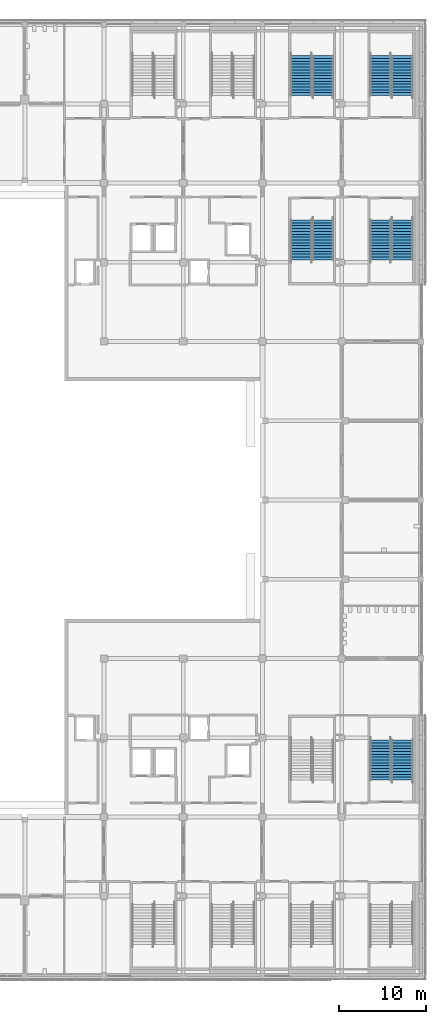
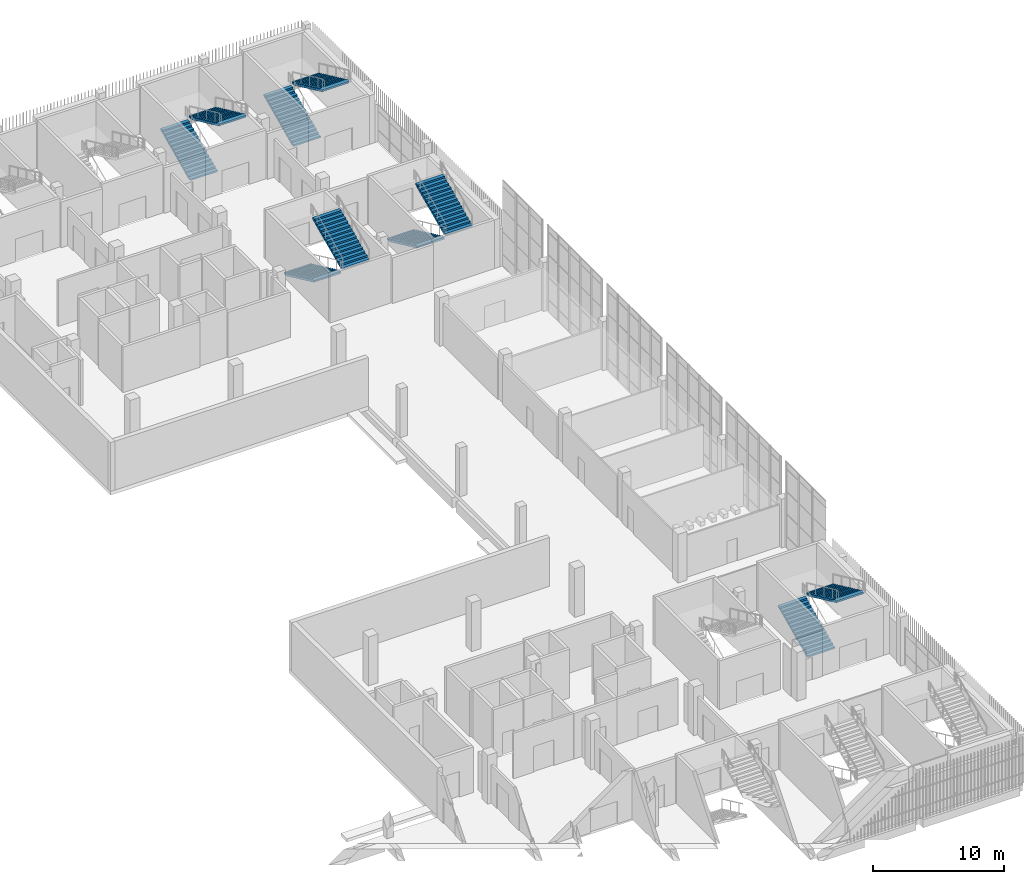
# One storey, part 91 of 126: 10 stair flights, 5 elements without a shape of their own.
"""IFC4 building model written with IfcOpenShell, lengths in metres."""

from ifc_helpers import new_model, si_unit, direction, frame, origin, place, context, subcontext, project, spatial, polyline, outline, extrude, material, type_object, element, aggregate, save


model = new_model("IFC4")

# Units and contexts
model_context = context("Model", 3, precision=1e-05, world=origin(), true_north=direction((0.0, 1.0)))
body_context = subcontext(model_context, "Body", "Model", "MODEL_VIEW")
ifc_project = project(units=[si_unit("LENGTHUNIT", "METRE"), si_unit("AREAUNIT", "SQUARE_METRE"), si_unit("VOLUMEUNIT", "CUBIC_METRE"), si_unit("PLANEANGLEUNIT", "RADIAN"), si_unit("MASSUNIT", "GRAM", prefix="KILO")], contexts=[model_context])

# Site, building, storey
site_placement = place(None, origin())
site = spatial("IfcSite", under=ifc_project, at=site_placement, CompositionType="ELEMENT")
building_placement = place(site_placement, origin())
building = spatial("IfcBuilding", under=site, at=building_placement, Name="Shirokan Park Arena", CompositionType="ELEMENT")
storey_placement = place(building_placement, frame((0.0, 0.0, 6.3701171875)))
storey = spatial("IfcBuildingStorey", under=building, at=storey_placement, Name="L01", CompositionType="ELEMENT", Elevation=6.3701171875)

# Stair, stair flights
ifc_material = material(Name="Concrete C30 precast", Category="concrete")
stair_type = type_object("IfcStairType", Name="Stair 30 risers 152 x 327 2400 wide", PredefinedType="TWO_STRAIGHT_RUN_STAIR", material=ifc_material)
stair_1_placement = place(storey_placement, origin())
stair_1 = element("IfcStair", 1, at=stair_1_placement, inside=storey, type_object=stair_type, Name="Exit Stair 2.E L01 to L02", PredefinedType="TWO_STRAIGHT_RUN_STAIR")
stair_flight_type = type_object("IfcStairFlightType", Name="Stair flight 15 risers 152 x 327 2400 wide", PredefinedType="STRAIGHT", material=ifc_material)
stair_flight_1_placement = place(storey_placement, frame((140.949951171875, 22.449951171875, 0.0), z_axis=(0.0, 0.0, 1.0), x_axis=(0.0, 1.0, 0.0)))
stair_flight_1 = element("IfcStairFlight", 2, at=stair_flight_1_placement, type_object=stair_flight_type, Name="ST08.2 flight 1", NumberOfRisers=15, NumberOfTreads=14, PredefinedType="STRAIGHT", RiserHeight=0.151666667, TreadLength=0.3267, context=body_context, shape_type="SweptSolid", body=[
    extrude(outline(polyline([(0.0, 0.0), (0.0, 0.151611328125), (0.32666015625, 0.151611328125), (0.32666015625, 0.30322265625), (0.6533203125, 0.30322265625), (0.6533203125, 0.455078125), (0.97998046875, 0.455078125), (0.97998046875, 0.606689453125), (1.306884765625, 0.606689453125), (1.306884765625, 0.75830078125), (1.633544921875, 0.75830078125), (1.633544921875, 0.909912109375), (1.960205078125, 0.909912109375), (1.960205078125, 1.061767578125), (2.286865234375, 1.061767578125), (2.286865234375, 1.21337890625), (2.613525390625, 1.21337890625), (2.613525390625, 1.364990234375), (2.940185546875, 1.364990234375), (2.940185546875, 1.5166015625), (3.26708984375, 1.5166015625), (3.26708984375, 1.668212890625), (3.59375, 1.668212890625), (3.59375, 1.820068359375), (3.92041015625, 1.820068359375), (3.92041015625, 1.9716796875), (4.2470703125, 1.9716796875), (4.2470703125, 2.123291015625), (4.57373046875, 2.123291015625), (4.57373046875, 2.27490234375), (4.57373046875, 1.9580078125), (0.35595703125, 0.0), (0.0, 0.0)])), frame((0.0, 1.199951171875, 0.0), z_axis=(0.0, -1.0, 0.0), x_axis=(1.0, 0.0, 0.0)), (0.0, 0.0, 1.0), 2.39990234375),
])
stair_flight_2_placement = place(storey_placement, frame((143.449951171875, 27.023681640625, 2.27490234375), z_axis=(0.0, 0.0, 1.0), x_axis=(0.0, -1.0, 0.0)))
stair_flight_2 = element("IfcStairFlight", 3, at=stair_flight_2_placement, type_object=stair_flight_type, Name="ST08.2 flight 2", NumberOfRisers=15, NumberOfTreads=14, PredefinedType="STRAIGHT", RiserHeight=0.151666667, TreadLength=0.3267, context=body_context, shape_type="SweptSolid", body=[
    extrude(outline(polyline([(0.0, 0.0), (0.0, 0.151611328125), (0.32666015625, 0.151611328125), (0.32666015625, 0.30322265625), (0.6533203125, 0.30322265625), (0.6533203125, 0.455078125), (0.97998046875, 0.455078125), (0.97998046875, 0.606689453125), (1.306884765625, 0.606689453125), (1.306884765625, 0.75830078125), (1.633544921875, 0.75830078125), (1.633544921875, 0.909912109375), (1.960205078125, 0.909912109375), (1.960205078125, 1.061767578125), (2.286865234375, 1.061767578125), (2.286865234375, 1.21337890625), (2.613525390625, 1.21337890625), (2.613525390625, 1.364990234375), (2.940185546875, 1.364990234375), (2.940185546875, 1.5166015625), (3.26708984375, 1.5166015625), (3.26708984375, 1.668212890625), (3.59375, 1.668212890625), (3.59375, 1.820068359375), (3.92041015625, 1.820068359375), (3.92041015625, 1.9716796875), (4.2470703125, 1.9716796875), (4.2470703125, 2.123291015625), (4.57373046875, 2.123291015625), (4.57373046875, 2.27490234375), (4.57373046875, 1.9580078125), (0.35595703125, 0.0), (0.0, 0.0)])), frame((0.0, 1.199951171875, 0.0), z_axis=(0.0, -1.0, 0.0), x_axis=(1.0, 0.0, 0.0)), (0.0, 0.0, 1.0), 2.39990234375),
])
aggregate(stair_1, [stair_flight_1, stair_flight_2])

stair_2_placement = place(storey_placement, origin())
stair_2 = element("IfcStair", 4, at=stair_2_placement, inside=storey, type_object=stair_type, Name="Exit Stair 3.A L01 to L02", PredefinedType="TWO_STRAIGHT_RUN_STAIR")
stair_flight_3_placement = place(storey_placement, frame((140.949951171875, 101.050048828125, 0.0), z_axis=(0.0, 0.0, 1.0), x_axis=(0.0, 1.0, 0.0)))
stair_flight_3 = element("IfcStairFlight", 5, at=stair_flight_3_placement, type_object=stair_flight_type, Name="ST16.2 flight 1", NumberOfRisers=15, NumberOfTreads=14, PredefinedType="STRAIGHT", RiserHeight=0.151666667, TreadLength=0.3267, context=body_context, shape_type="SweptSolid", body=[
    extrude(outline(polyline([(0.0, 0.0), (0.0, 0.151611328125), (0.32666015625, 0.151611328125), (0.32666015625, 0.30322265625), (0.6533203125, 0.30322265625), (0.6533203125, 0.455078125), (0.97998046875, 0.455078125), (0.97998046875, 0.606689453125), (1.306884765625, 0.606689453125), (1.306884765625, 0.75830078125), (1.633544921875, 0.75830078125), (1.633544921875, 0.909912109375), (1.960205078125, 0.909912109375), (1.960205078125, 1.061767578125), (2.286865234375, 1.061767578125), (2.286865234375, 1.21337890625), (2.613525390625, 1.21337890625), (2.613525390625, 1.364990234375), (2.940185546875, 1.364990234375), (2.940185546875, 1.5166015625), (3.26708984375, 1.5166015625), (3.26708984375, 1.668212890625), (3.59375, 1.668212890625), (3.59375, 1.820068359375), (3.92041015625, 1.820068359375), (3.92041015625, 1.9716796875), (4.2470703125, 1.9716796875), (4.2470703125, 2.123291015625), (4.57373046875, 2.123291015625), (4.57373046875, 2.27490234375), (4.57373046875, 1.9580078125), (0.35595703125, 0.0), (0.0, 0.0)])), frame((0.0, 1.199951171875, 0.0), z_axis=(0.0, -1.0, 0.0), x_axis=(1.0, 0.0, 0.0)), (0.0, 0.0, 1.0), 2.39990234375),
])
stair_flight_4_placement = place(storey_placement, frame((143.449951171875, 105.623779296875, 2.27490234375), z_axis=(0.0, 0.0, 1.0), x_axis=(0.0, -1.0, 0.0)))
stair_flight_4 = element("IfcStairFlight", 6, at=stair_flight_4_placement, type_object=stair_flight_type, Name="ST16.2 flight 2", NumberOfRisers=15, NumberOfTreads=14, PredefinedType="STRAIGHT", RiserHeight=0.151666667, TreadLength=0.3267, context=body_context, shape_type="SweptSolid", body=[
    extrude(outline(polyline([(0.0, 0.0), (0.0, 0.151611328125), (0.32666015625, 0.151611328125), (0.32666015625, 0.30322265625), (0.6533203125, 0.30322265625), (0.6533203125, 0.455078125), (0.97998046875, 0.455078125), (0.97998046875, 0.606689453125), (1.306884765625, 0.606689453125), (1.306884765625, 0.75830078125), (1.633544921875, 0.75830078125), (1.633544921875, 0.909912109375), (1.960205078125, 0.909912109375), (1.960205078125, 1.061767578125), (2.286865234375, 1.061767578125), (2.286865234375, 1.21337890625), (2.613525390625, 1.21337890625), (2.613525390625, 1.364990234375), (2.940185546875, 1.364990234375), (2.940185546875, 1.5166015625), (3.26708984375, 1.5166015625), (3.26708984375, 1.668212890625), (3.59375, 1.668212890625), (3.59375, 1.820068359375), (3.92041015625, 1.820068359375), (3.92041015625, 1.9716796875), (4.2470703125, 1.9716796875), (4.2470703125, 2.123291015625), (4.57373046875, 2.123291015625), (4.57373046875, 2.27490234375), (4.57373046875, 1.9580078125), (0.35595703125, 0.0), (0.0, 0.0)])), frame((0.0, 1.199951171875, 0.0), z_axis=(0.0, -1.0, 0.0), x_axis=(1.0, 0.0, 0.0)), (0.0, 0.0, 1.0), 2.39990234375),
])
aggregate(stair_2, [stair_flight_3, stair_flight_4])

stair_3_placement = place(storey_placement, origin())
stair_3 = element("IfcStair", 7, at=stair_3_placement, inside=storey, type_object=stair_type, Name="Exit Stair 3.B L01 to L02", PredefinedType="TWO_STRAIGHT_RUN_STAIR")
stair_flight_5_placement = place(storey_placement, frame((131.85009765625, 101.050048828125, 0.0), z_axis=(0.0, 0.0, 1.0), x_axis=(0.0, 1.0, 0.0)))
stair_flight_5 = element("IfcStairFlight", 8, at=stair_flight_5_placement, type_object=stair_flight_type, Name="ST17.2 flight 1", NumberOfRisers=15, NumberOfTreads=14, PredefinedType="STRAIGHT", RiserHeight=0.151666667, TreadLength=0.3267, context=body_context, shape_type="SweptSolid", body=[
    extrude(outline(polyline([(0.0, 0.0), (0.0, 0.151611328125), (0.32666015625, 0.151611328125), (0.32666015625, 0.30322265625), (0.6533203125, 0.30322265625), (0.6533203125, 0.455078125), (0.97998046875, 0.455078125), (0.97998046875, 0.606689453125), (1.306884765625, 0.606689453125), (1.306884765625, 0.75830078125), (1.633544921875, 0.75830078125), (1.633544921875, 0.909912109375), (1.960205078125, 0.909912109375), (1.960205078125, 1.061767578125), (2.286865234375, 1.061767578125), (2.286865234375, 1.21337890625), (2.613525390625, 1.21337890625), (2.613525390625, 1.364990234375), (2.940185546875, 1.364990234375), (2.940185546875, 1.5166015625), (3.26708984375, 1.5166015625), (3.26708984375, 1.668212890625), (3.59375, 1.668212890625), (3.59375, 1.820068359375), (3.92041015625, 1.820068359375), (3.92041015625, 1.9716796875), (4.2470703125, 1.9716796875), (4.2470703125, 2.123291015625), (4.57373046875, 2.123291015625), (4.57373046875, 2.27490234375), (4.57373046875, 1.9580078125), (0.35595703125, 0.0), (0.0, 0.0)])), frame((0.0, 1.199951171875, 0.0), z_axis=(0.0, -1.0, 0.0), x_axis=(1.0, 0.0, 0.0)), (0.0, 0.0, 1.0), 2.39990234375),
])
stair_flight_6_placement = place(storey_placement, frame((134.35009765625, 105.623779296875, 2.27490234375), z_axis=(0.0, 0.0, 1.0), x_axis=(0.0, -1.0, 0.0)))
stair_flight_6 = element("IfcStairFlight", 9, at=stair_flight_6_placement, type_object=stair_flight_type, Name="ST17.2 flight 2", NumberOfRisers=15, NumberOfTreads=14, PredefinedType="STRAIGHT", RiserHeight=0.151666667, TreadLength=0.3267, context=body_context, shape_type="SweptSolid", body=[
    extrude(outline(polyline([(0.0, 0.0), (0.0, 0.151611328125), (0.32666015625, 0.151611328125), (0.32666015625, 0.30322265625), (0.6533203125, 0.30322265625), (0.6533203125, 0.455078125), (0.97998046875, 0.455078125), (0.97998046875, 0.606689453125), (1.306884765625, 0.606689453125), (1.306884765625, 0.75830078125), (1.633544921875, 0.75830078125), (1.633544921875, 0.909912109375), (1.960205078125, 0.909912109375), (1.960205078125, 1.061767578125), (2.286865234375, 1.061767578125), (2.286865234375, 1.21337890625), (2.613525390625, 1.21337890625), (2.613525390625, 1.364990234375), (2.940185546875, 1.364990234375), (2.940185546875, 1.5166015625), (3.26708984375, 1.5166015625), (3.26708984375, 1.668212890625), (3.59375, 1.668212890625), (3.59375, 1.820068359375), (3.92041015625, 1.820068359375), (3.92041015625, 1.9716796875), (4.2470703125, 1.9716796875), (4.2470703125, 2.123291015625), (4.57373046875, 2.123291015625), (4.57373046875, 2.27490234375), (4.57373046875, 1.9580078125), (0.35595703125, 0.0), (0.0, 0.0)])), frame((0.0, 1.199951171875, 0.0), z_axis=(0.0, -1.0, 0.0), x_axis=(1.0, 0.0, 0.0)), (0.0, 0.0, 1.0), 2.39990234375),
])
aggregate(stair_3, [stair_flight_5, stair_flight_6])

stair_4_placement = place(storey_placement, origin())
stair_4 = element("IfcStair", 10, at=stair_4_placement, inside=storey, type_object=stair_type, Name="Exit Stair 3.E L01 to L02", PredefinedType="TWO_STRAIGHT_RUN_STAIR")
stair_flight_7_placement = place(storey_placement, frame((140.949951171875, 86.75, 0.0), z_axis=(0.0, 0.0, 1.0), x_axis=(0.0, -1.0, 0.0)))
stair_flight_7 = element("IfcStairFlight", 11, at=stair_flight_7_placement, type_object=stair_flight_type, Name="ST20.2 flight 1", NumberOfRisers=15, NumberOfTreads=14, PredefinedType="STRAIGHT", RiserHeight=0.151666667, TreadLength=0.3267, context=body_context, shape_type="SweptSolid", body=[
    extrude(outline(polyline([(0.0, 0.0), (0.0, 0.151611328125), (0.32666015625, 0.151611328125), (0.32666015625, 0.30322265625), (0.6533203125, 0.30322265625), (0.6533203125, 0.455078125), (0.97998046875, 0.455078125), (0.97998046875, 0.606689453125), (1.306884765625, 0.606689453125), (1.306884765625, 0.75830078125), (1.633544921875, 0.75830078125), (1.633544921875, 0.909912109375), (1.960205078125, 0.909912109375), (1.960205078125, 1.061767578125), (2.286865234375, 1.061767578125), (2.286865234375, 1.21337890625), (2.613525390625, 1.21337890625), (2.613525390625, 1.364990234375), (2.940185546875, 1.364990234375), (2.940185546875, 1.5166015625), (3.26708984375, 1.5166015625), (3.26708984375, 1.668212890625), (3.59375, 1.668212890625), (3.59375, 1.820068359375), (3.92041015625, 1.820068359375), (3.92041015625, 1.9716796875), (4.2470703125, 1.9716796875), (4.2470703125, 2.123291015625), (4.57373046875, 2.123291015625), (4.57373046875, 2.27490234375), (4.57373046875, 1.9580078125), (0.35595703125, 0.0), (0.0, 0.0)])), frame((0.0, 1.199951171875, 0.0), z_axis=(0.0, -1.0, 0.0), x_axis=(1.0, 0.0, 0.0)), (0.0, 0.0, 1.0), 2.39990234375),
])
stair_flight_8_placement = place(storey_placement, frame((143.449951171875, 82.17626953125, 2.27490234375), z_axis=(0.0, 0.0, 1.0), x_axis=(0.0, 1.0, 0.0)))
stair_flight_8 = element("IfcStairFlight", 12, at=stair_flight_8_placement, type_object=stair_flight_type, Name="ST20.2 flight 2", NumberOfRisers=15, NumberOfTreads=14, PredefinedType="STRAIGHT", RiserHeight=0.151666667, TreadLength=0.3267, context=body_context, shape_type="SweptSolid", body=[
    extrude(outline(polyline([(0.0, 0.0), (0.0, 0.151611328125), (0.32666015625, 0.151611328125), (0.32666015625, 0.30322265625), (0.6533203125, 0.30322265625), (0.6533203125, 0.455078125), (0.97998046875, 0.455078125), (0.97998046875, 0.606689453125), (1.306884765625, 0.606689453125), (1.306884765625, 0.75830078125), (1.633544921875, 0.75830078125), (1.633544921875, 0.909912109375), (1.960205078125, 0.909912109375), (1.960205078125, 1.061767578125), (2.286865234375, 1.061767578125), (2.286865234375, 1.21337890625), (2.613525390625, 1.21337890625), (2.613525390625, 1.364990234375), (2.940185546875, 1.364990234375), (2.940185546875, 1.5166015625), (3.26708984375, 1.5166015625), (3.26708984375, 1.668212890625), (3.59375, 1.668212890625), (3.59375, 1.820068359375), (3.92041015625, 1.820068359375), (3.92041015625, 1.9716796875), (4.2470703125, 1.9716796875), (4.2470703125, 2.123291015625), (4.57373046875, 2.123291015625), (4.57373046875, 2.27490234375), (4.57373046875, 1.9580078125), (0.35595703125, 0.0), (0.0, 0.0)])), frame((0.0, 1.199951171875, 0.0), z_axis=(0.0, -1.0, 0.0), x_axis=(1.0, 0.0, 0.0)), (0.0, 0.0, 1.0), 2.39990234375),
])
aggregate(stair_4, [stair_flight_7, stair_flight_8])

stair_5_placement = place(storey_placement, origin())
stair_5 = element("IfcStair", 13, at=stair_5_placement, inside=storey, type_object=stair_type, Name="Exit Stair 3.F L01 to L02", PredefinedType="TWO_STRAIGHT_RUN_STAIR")
stair_flight_9_placement = place(storey_placement, frame((131.85009765625, 86.75, 0.0), z_axis=(0.0, 0.0, 1.0), x_axis=(0.0, -1.0, 0.0)))
stair_flight_9 = element("IfcStairFlight", 14, at=stair_flight_9_placement, type_object=stair_flight_type, Name="ST21.2 flight 1", NumberOfRisers=15, NumberOfTreads=14, PredefinedType="STRAIGHT", RiserHeight=0.151666667, TreadLength=0.3267, context=body_context, shape_type="SweptSolid", body=[
    extrude(outline(polyline([(0.0, 0.0), (0.0, 0.151611328125), (0.32666015625, 0.151611328125), (0.32666015625, 0.30322265625), (0.6533203125, 0.30322265625), (0.6533203125, 0.455078125), (0.97998046875, 0.455078125), (0.97998046875, 0.606689453125), (1.306884765625, 0.606689453125), (1.306884765625, 0.75830078125), (1.633544921875, 0.75830078125), (1.633544921875, 0.909912109375), (1.960205078125, 0.909912109375), (1.960205078125, 1.061767578125), (2.286865234375, 1.061767578125), (2.286865234375, 1.21337890625), (2.613525390625, 1.21337890625), (2.613525390625, 1.364990234375), (2.940185546875, 1.364990234375), (2.940185546875, 1.5166015625), (3.26708984375, 1.5166015625), (3.26708984375, 1.668212890625), (3.59375, 1.668212890625), (3.59375, 1.820068359375), (3.92041015625, 1.820068359375), (3.92041015625, 1.9716796875), (4.2470703125, 1.9716796875), (4.2470703125, 2.123291015625), (4.57373046875, 2.123291015625), (4.57373046875, 2.27490234375), (4.57373046875, 1.9580078125), (0.35595703125, 0.0), (0.0, 0.0)])), frame((0.0, 1.199951171875, 0.0), z_axis=(0.0, -1.0, 0.0), x_axis=(1.0, 0.0, 0.0)), (0.0, 0.0, 1.0), 2.39990234375),
])
stair_flight_10_placement = place(storey_placement, frame((134.35009765625, 82.17626953125, 2.27490234375), z_axis=(0.0, 0.0, 1.0), x_axis=(0.0, 1.0, 0.0)))
stair_flight_10 = element("IfcStairFlight", 15, at=stair_flight_10_placement, type_object=stair_flight_type, Name="ST21.2 flight 2", NumberOfRisers=15, NumberOfTreads=14, PredefinedType="STRAIGHT", RiserHeight=0.151666667, TreadLength=0.3267, context=body_context, shape_type="SweptSolid", body=[
    extrude(outline(polyline([(0.0, 0.0), (0.0, 0.151611328125), (0.32666015625, 0.151611328125), (0.32666015625, 0.30322265625), (0.6533203125, 0.30322265625), (0.6533203125, 0.455078125), (0.97998046875, 0.455078125), (0.97998046875, 0.606689453125), (1.306884765625, 0.606689453125), (1.306884765625, 0.75830078125), (1.633544921875, 0.75830078125), (1.633544921875, 0.909912109375), (1.960205078125, 0.909912109375), (1.960205078125, 1.061767578125), (2.286865234375, 1.061767578125), (2.286865234375, 1.21337890625), (2.613525390625, 1.21337890625), (2.613525390625, 1.364990234375), (2.940185546875, 1.364990234375), (2.940185546875, 1.5166015625), (3.26708984375, 1.5166015625), (3.26708984375, 1.668212890625), (3.59375, 1.668212890625), (3.59375, 1.820068359375), (3.92041015625, 1.820068359375), (3.92041015625, 1.9716796875), (4.2470703125, 1.9716796875), (4.2470703125, 2.123291015625), (4.57373046875, 2.123291015625), (4.57373046875, 2.27490234375), (4.57373046875, 1.9580078125), (0.35595703125, 0.0), (0.0, 0.0)])), frame((0.0, 1.199951171875, 0.0), z_axis=(0.0, -1.0, 0.0), x_axis=(1.0, 0.0, 0.0)), (0.0, 0.0, 1.0), 2.39990234375),
])
aggregate(stair_5, [stair_flight_9, stair_flight_10])

save(model, "model.ifc")
